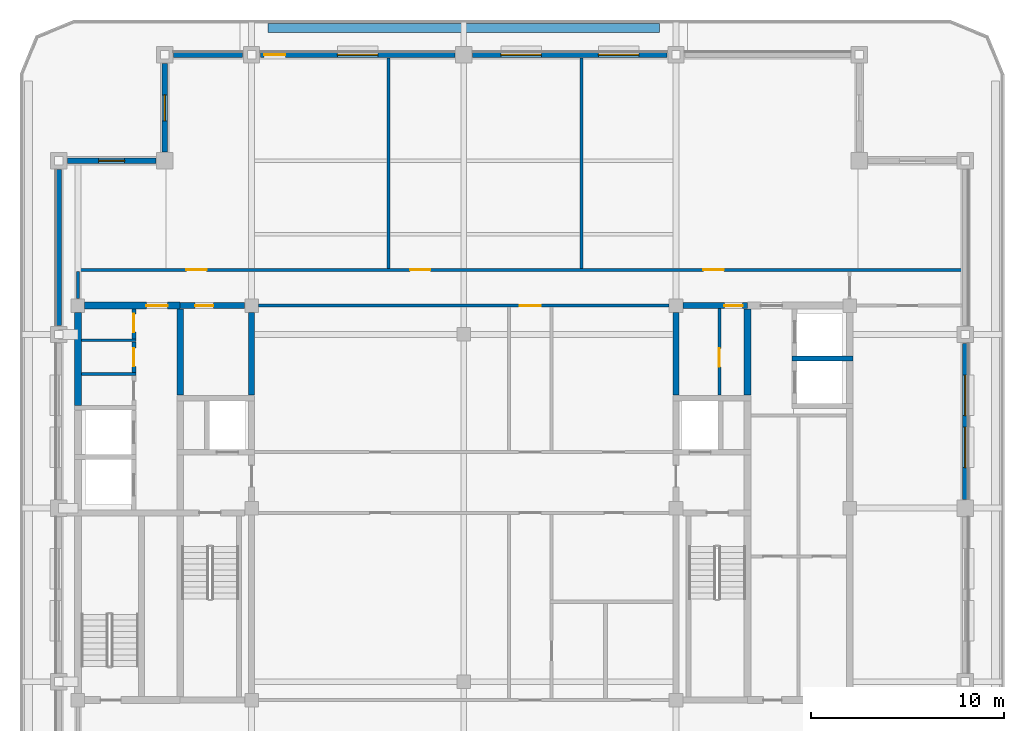
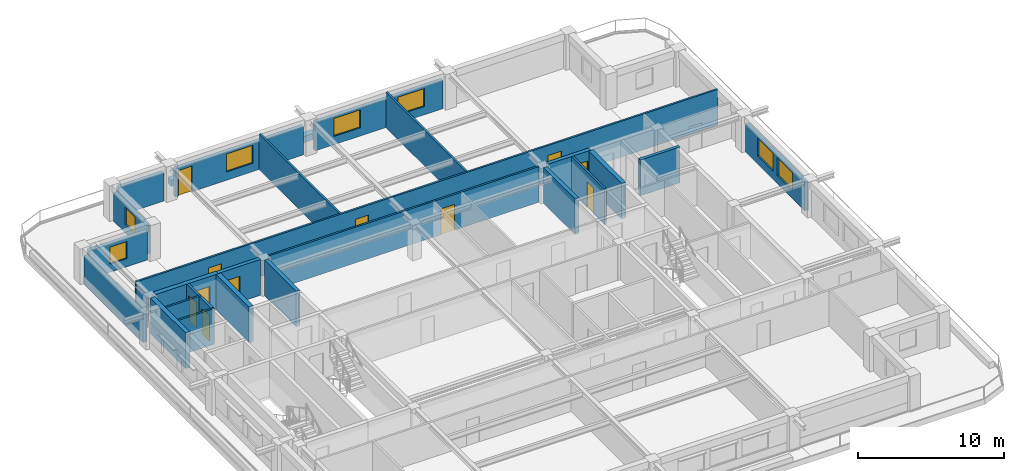
# One storey, part 5 of 11: 27 walls, 11 doors, 7 windows, 18 openings.
"""IFC4 building model written with IfcOpenShell, lengths in metres."""

from ifc_helpers import new_model, si_unit, direction, frame, frame_2d, origin, place, context, subcontext, project, spatial, rectangle, extrude, material, layer, layer_set, type_object, element, fill, save


model = new_model("IFC4")

# Units and contexts
model_context = context("Model", 3, precision=1e-05, world=origin(), true_north=direction((0.0, 1.0)))
body_context = subcontext(model_context, "Body", "Model", "MODEL_VIEW")
ifc_project = project(units=[si_unit("LENGTHUNIT", "METRE"), si_unit("AREAUNIT", "SQUARE_METRE"), si_unit("VOLUMEUNIT", "CUBIC_METRE"), si_unit("PLANEANGLEUNIT", "RADIAN"), si_unit("MASSUNIT", "GRAM", prefix="KILO")], contexts=[model_context])

# Site, building, storey
site_placement = place(None, origin())
site = spatial("IfcSite", under=ifc_project, at=site_placement, CompositionType="ELEMENT")
building_placement = place(site_placement, origin())
building = spatial("IfcBuilding", under=site, at=building_placement, Name="Zulmaris Gate Convention Tower", CompositionType="ELEMENT")
storey_placement = place(building_placement, frame((0.0, 0.0, 242.969970703125)))
storey = spatial("IfcBuildingStorey", under=building, at=storey_placement, Name="L64", CompositionType="ELEMENT", Elevation=242.969970703125)

# Wall
ifc_material_1 = material(Name="Concrete C50/60", Category="concrete")
ifc_layer_1 = layer(ifc_material_1, 0.25, Name="Concrete C50/60")
ifc_layer_set_1 = layer_set([ifc_layer_1], Name="Concrete C50/60")
wall_type_1 = type_object("IfcWallType", Name="CORE-250", PredefinedType="SOLIDWALL", material=ifc_layer_set_1)
wall_1_placement = place(storey_placement, frame((17.02490234375, 7.75, 0.0), z_axis=(0.0, 0.0, 1.0), x_axis=(1.0, 0.0, 0.0)))
element("IfcWall", 1, at=wall_1_placement, inside=storey, type_object=wall_type_1, Name="WL-L64-014", PredefinedType="SOLIDWALL", context=body_context, shape_type="SweptSolid", body=[
    extrude(rectangle(XDim=3.150146484375, YDim=0.25, at=frame_2d((1.5751953125, 0.0))), origin(), (0.0, 0.0, 1.0), 2.97998046875),
])

# Wall, opening, door
ifc_layer_2 = layer(ifc_material_1, 0.300048828125, Name="Concrete C50/60")
ifc_layer_set_2 = layer_set([ifc_layer_2], Name="Concrete C50/60")
wall_type_2 = type_object("IfcWallType", Name="CORE-300", PredefinedType="SHEAR", material=ifc_layer_set_2)
wall_2_placement = place(storey_placement, frame((-14.699951171875, 10.5, 0.0), z_axis=(0.0, 0.0, 1.0), x_axis=(1.0, 0.0, 0.0)))
wall_2 = element("IfcWall", 2, at=wall_2_placement, inside=storey, type_object=wall_type_2, Name="WL-L64-016", PredefinedType="SHEAR", context=body_context, shape_type="SweptSolid", body=[
    extrude(rectangle(XDim=3.345947265625, YDim=0.300048828125, at=frame_2d((1.6728515625, 0.0))), origin(), (0.0, 0.0, 1.0), 2.97998046875),
])
opening_1_placement = place(wall_2_placement, frame((0.77490234375, 0.0, 0.0)))
opening_1 = element("IfcOpeningElement", 3, at=opening_1_placement, cuts=wall_2, Name="Opening D-11", PredefinedType="OPENING", context=body_context, shape_type="SweptSolid", body=[
    extrude(rectangle(XDim=0.949951171875, YDim=2.14990234375, at=frame_2d((0.47509765625, 1.074951171875))), frame((0.0, 0.16015625, 0.0), z_axis=(0.0, -1.0, 0.0), x_axis=(1.0, 0.0, 0.0)), (0.0, 0.0, 1.0), 0.320068359375),
])
ifc_material_2 = material(Name="Fire-Rated Timber", Category="wood")
door_type_1 = type_object("IfcDoorType", Name="DR-950-FD", OperationType="NOTDEFINED", PredefinedType="DOOR", material=ifc_material_2)
door_1_placement = place(opening_1_placement, origin())
door_1 = element("IfcDoor", 4, at=door_1_placement, inside=storey, type_object=door_type_1, Name="L64 Core Archive Door 07", OperationType="SINGLE_SWING_LEFT", OverallHeight=2.14990234375, OverallWidth=0.949951171875, PredefinedType="DOOR", context=body_context, shape_type="SweptSolid", body=[
    extrude(rectangle(XDim=0.949951171875, YDim=2.14990234375, at=frame_2d((0.47509765625, 1.074951171875))), frame((0.0, 0.02490234375, 0.0), z_axis=(0.0, -1.0, 0.0), x_axis=(1.0, 0.0, 0.0)), (0.0, 0.0, 1.0), 0.050048828125),
])
fill(opening_1, door_1)

wall_3_placement = place(storey_placement, frame((11.35400390625, 10.5, 0.0), z_axis=(0.0, 0.0, 1.0), x_axis=(1.0, 0.0, 0.0)))
wall_3 = element("IfcWall", 5, at=wall_3_placement, inside=storey, type_object=wall_type_2, Name="WL-L64-017", PredefinedType="SHEAR", context=body_context, shape_type="SweptSolid", body=[
    extrude(rectangle(XDim=3.345947265625, YDim=0.300048828125, at=frame_2d((1.6728515625, 0.0))), origin(), (0.0, 0.0, 1.0), 2.97998046875),
])
opening_2_placement = place(wall_3_placement, frame((2.15087890625, 0.0, 0.0)))
opening_2 = element("IfcOpeningElement", 6, at=opening_2_placement, cuts=wall_3, Name="Opening D-11", PredefinedType="OPENING", context=body_context, shape_type="SweptSolid", body=[
    extrude(rectangle(XDim=0.949951171875, YDim=2.14990234375, at=frame_2d((0.47509765625, 1.074951171875))), frame((0.0, 0.16015625, 0.0), z_axis=(0.0, -1.0, 0.0), x_axis=(1.0, 0.0, 0.0)), (0.0, 0.0, 1.0), 0.320068359375),
])
door_2_placement = place(opening_2_placement, origin())
door_2 = element("IfcDoor", 7, at=door_2_placement, inside=storey, type_object=door_type_1, Name="L64 Core Linen Closet Door 08", OperationType="SINGLE_SWING_RIGHT", OverallHeight=2.14990234375, OverallWidth=0.949951171875, PredefinedType="DOOR", context=body_context, shape_type="SweptSolid", body=[
    extrude(rectangle(XDim=0.949951171875, YDim=2.14990234375, at=frame_2d((0.47509765625, 1.074951171875))), frame((0.0, 0.02490234375, 0.0), z_axis=(0.0, -1.0, 0.0), x_axis=(1.0, 0.0, 0.0)), (0.0, 0.0, 1.0), 0.050048828125),
])
fill(opening_2, door_2)

# Walls
for number, where, z_axis, x_axis, name in (
    (8, (-11.0, 5.85205078125, 0.0), (0.0, 0.0, 1.0), (0.0, 1.0, 0.0), "WL-L64-048"),
    (9, (11.0, 5.85205078125, 0.0), (0.0, 0.0, 1.0), (0.0, 1.0, 0.0), "WL-L64-052"),
):
    element("IfcWall", number, at=place(storey_placement, frame(where, z_axis=z_axis, x_axis=x_axis)), inside=storey, type_object=wall_type_2, Name=name, PredefinedType="SHEAR", context=body_context, shape_type="SweptSolid", body=[
        extrude(rectangle(XDim=4.2939453125, YDim=0.300048828125, at=frame_2d((2.14697265625, 0.0))), origin(), (0.0, 0.0, 1.0), 2.97998046875),
    ])

# Wall, opening, door
ifc_material_3 = material(Name="Concrete C55/67", Category="concrete")
ifc_layer_3 = layer(ifc_material_3, 0.35009765625, Name="Concrete C55/67")
ifc_layer_set_3 = layer_set([ifc_layer_3], Name="Concrete C55/67")
wall_type_3 = type_object("IfcWallType", Name="CORE-350", PredefinedType="SHEAR", material=ifc_layer_set_3)
wall_4_placement = place(storey_placement, frame((-19.64599609375, 10.5, 0.0), z_axis=(0.0, 0.0, 1.0), x_axis=(1.0, 0.0, 0.0)))
wall_4 = element("IfcWall", 10, at=wall_4_placement, inside=storey, type_object=wall_type_3, Name="WL-L64-015", PredefinedType="SHEAR", context=body_context, shape_type="SweptSolid", body=[
    extrude(rectangle(XDim=4.946044921875, YDim=0.35009765625, at=frame_2d((2.47314453125, 0.0))), origin(), (0.0, 0.0, 1.0), 2.97998046875),
])
opening_3_placement = place(wall_4_placement, frame((3.196044921875, 0.0, 0.0)))
opening_3 = element("IfcOpeningElement", 11, at=opening_3_placement, cuts=wall_4, Name="Opening D-08", PredefinedType="OPENING", context=body_context, shape_type="SweptSolid", body=[
    extrude(rectangle(XDim=1.10009765625, YDim=2.14990234375, at=frame_2d((0.550048828125, 1.074951171875))), frame((0.0, 0.18505859375, 0.0), z_axis=(0.0, -1.0, 0.0), x_axis=(1.0, 0.0, 0.0)), (0.0, 0.0, 1.0), 0.3701171875),
])
ifc_material_4 = material(Name="Fire-Rated Steel", Category="steel")
door_type_2 = type_object("IfcDoorType", Name="DR-1100-FD", OperationType="NOTDEFINED", PredefinedType="DOOR", material=ifc_material_4)
door_3_placement = place(opening_3_placement, origin())
door_3 = element("IfcDoor", 12, at=door_3_placement, inside=storey, type_object=door_type_2, Name="L64 High-Rise West Lift Lobby Door 13", OperationType="SINGLE_SWING_LEFT", OverallHeight=2.14990234375, OverallWidth=1.10009765625, PredefinedType="DOOR", context=body_context, shape_type="SweptSolid", body=[
    extrude(rectangle(XDim=1.10009765625, YDim=2.14990234375, at=frame_2d((0.550048828125, 1.074951171875))), frame((0.0, 0.02490234375, 0.0), z_axis=(0.0, -1.0, 0.0), x_axis=(1.0, 0.0, 0.0)), (0.0, 0.0, 1.0), 0.050048828125),
])
fill(opening_3, door_3)

# Walls
wall_5_placement = place(storey_placement, frame((-20.0, 5.326904296875, 0.0), z_axis=(0.0, 0.0, 1.0), x_axis=(0.0, 1.0, 0.0)))
element("IfcWall", 13, at=wall_5_placement, inside=storey, type_object=wall_type_3, Name="WL-L64-035", PredefinedType="SHEAR", context=body_context, shape_type="SweptSolid", body=[
    extrude(rectangle(XDim=4.819091796875, YDim=0.35009765625, at=frame_2d((2.40966796875, 0.0))), origin(), (0.0, 0.0, 1.0), 2.97998046875),
])
for number, where, z_axis, x_axis, name in (
    (14, (-14.699951171875, 5.85205078125, 0.0), (0.0, 0.0, 1.0), (0.0, 1.0, 0.0), "WL-L64-042"),
    (15, (14.699951171875, 5.85205078125, 0.0), (0.0, 0.0, 1.0), (0.0, 1.0, 0.0), "WL-L64-058"),
):
    element("IfcWall", number, at=place(storey_placement, frame(where, z_axis=z_axis, x_axis=x_axis)), inside=storey, type_object=wall_type_3, Name=name, PredefinedType="SHEAR", context=body_context, shape_type="SweptSolid", body=[
        extrude(rectangle(XDim=4.470947265625, YDim=0.35009765625, at=frame_2d((2.2353515625, 0.0))), origin(), (0.0, 0.0, 1.0), 2.97998046875),
    ])
ifc_material_5 = material(Name="Gypsum Metal Stud Partition")
ifc_layer_4 = layer(ifc_material_5, 0.14990234375, Name="Gypsum Metal Stud Partition")
ifc_layer_set_4 = layer_set([ifc_layer_4], Name="Gypsum Metal Stud Partition")
wall_type_4 = type_object("IfcWallType", Name="PART-150", PredefinedType="PARTITIONING", material=ifc_layer_set_4)
for number, where, z_axis, x_axis, name in (
    (16, (-19.822021484375, 6.949951171875, 0.0), (0.0, 0.0, 1.0), (1.0, 0.0, 0.0), "WL-L64-027"),
    (17, (-19.822021484375, 8.699951171875, 0.0), (0.0, 0.0, 1.0), (1.0, 0.0, 0.0), "WL-L64-028"),
):
    element("IfcWall", number, at=place(storey_placement, frame(where, z_axis=z_axis, x_axis=x_axis)), inside=storey, type_object=wall_type_4, Name=name, PredefinedType="PARTITIONING", context=body_context, shape_type="SweptSolid", body=[
        extrude(rectangle(XDim=2.822021484375, YDim=0.14990234375, at=frame_2d((1.4111328125, 0.0))), origin(), (0.0, 0.0, 1.0), 2.97998046875),
    ])

# Wall, opening, door
wall_6_placement = place(storey_placement, frame((-10.64404296875, 10.5, 0.0), z_axis=(0.0, 0.0, 1.0), x_axis=(1.0, 0.0, 0.0)))
wall_6 = element("IfcWall", 18, at=wall_6_placement, inside=storey, type_object=wall_type_4, Name="WL-L64-029", PredefinedType="PARTITIONING", context=body_context, shape_type="SweptSolid", body=[
    extrude(rectangle(XDim=21.2880859375, YDim=0.14990234375, at=frame_2d((10.64404296875, 0.0))), origin(), (0.0, 0.0, 1.0), 2.97998046875),
])
opening_4_placement = place(wall_6_placement, frame((13.5439453125, 0.0, 0.0)))
opening_4 = element("IfcOpeningElement", 19, at=opening_4_placement, cuts=wall_6, Name="Opening D-08", PredefinedType="OPENING", context=body_context, shape_type="SweptSolid", body=[
    extrude(rectangle(XDim=1.10009765625, YDim=2.14990234375, at=frame_2d((0.550048828125, 1.074951171875))), frame((0.0, 0.0849609375, 0.0), z_axis=(0.0, -1.0, 0.0), x_axis=(1.0, 0.0, 0.0)), (0.0, 0.0, 1.0), 0.169921875),
])
door_4_placement = place(opening_4_placement, origin())
door_4 = element("IfcDoor", 20, at=door_4_placement, inside=storey, type_object=door_type_2, Name="L64 Exec North Link Door 24", OperationType="SINGLE_SWING_RIGHT", OverallHeight=2.14990234375, OverallWidth=1.10009765625, PredefinedType="DOOR", context=body_context, shape_type="SweptSolid", body=[
    extrude(rectangle(XDim=1.10009765625, YDim=2.14990234375, at=frame_2d((0.550048828125, 1.074951171875))), frame((0.0, 0.02490234375, 0.0), z_axis=(0.0, -1.0, 0.0), x_axis=(1.0, 0.0, 0.0)), (0.0, 0.0, 1.0), 0.050048828125),
])
fill(opening_4, door_4)

# Wall, openings, doors
wall_7_placement = place(storey_placement, frame((-20.074951171875, 12.35009765625, 0.0), z_axis=(0.0, 0.0, 1.0), x_axis=(1.0, 0.0, 0.0)))
wall_7 = element("IfcWall", 21, at=wall_7_placement, inside=storey, type_object=wall_type_4, Name="WL-L64-031", PredefinedType="PARTITIONING", context=body_context, shape_type="SweptSolid", body=[
    extrude(rectangle(XDim=45.909912109375, YDim=0.14990234375, at=frame_2d((22.955078125, 0.0))), origin(), (0.0, 0.0, 1.0), 2.97998046875),
])
opening_5_placement = place(wall_7_placement, frame((5.699951171875, 0.0, 0.0)))
opening_5 = element("IfcOpeningElement", 22, at=opening_5_placement, cuts=wall_7, Name="Opening D-09", PredefinedType="OPENING", context=body_context, shape_type="SweptSolid", body=[
    extrude(rectangle(XDim=1.050048828125, YDim=2.14990234375, at=frame_2d((0.52490234375, 1.074951171875))), frame((0.0, 0.0849609375, 0.0), z_axis=(0.0, -1.0, 0.0), x_axis=(1.0, 0.0, 0.0)), (0.0, 0.0, 1.0), 0.169921875),
])
opening_6_placement = place(wall_7_placement, frame((17.300048828125, 0.0, 0.0)))
opening_6 = element("IfcOpeningElement", 23, at=opening_6_placement, cuts=wall_7, Name="Opening D-09", PredefinedType="OPENING", context=body_context, shape_type="SweptSolid", body=[
    extrude(rectangle(XDim=1.050048828125, YDim=2.14990234375, at=frame_2d((0.52490234375, 1.074951171875))), frame((0.0, 0.0849609375, 0.0), z_axis=(0.0, -1.0, 0.0), x_axis=(1.0, 0.0, 0.0)), (0.0, 0.0, 1.0), 0.169921875),
])
opening_7_placement = place(wall_7_placement, frame((32.5, 0.0, 0.0)))
opening_7 = element("IfcOpeningElement", 24, at=opening_7_placement, cuts=wall_7, Name="Opening D-09", PredefinedType="OPENING", context=body_context, shape_type="SweptSolid", body=[
    extrude(rectangle(XDim=1.050048828125, YDim=2.14990234375, at=frame_2d((0.52490234375, 1.074951171875))), frame((0.0, 0.0849609375, 0.0), z_axis=(0.0, -1.0, 0.0), x_axis=(1.0, 0.0, 0.0)), (0.0, 0.0, 1.0), 0.169921875),
])
door_type_3 = type_object("IfcDoorType", Name="DR-1050-FD", OperationType="NOTDEFINED", PredefinedType="DOOR", material=ifc_material_4)
door_5_placement = place(opening_5_placement, origin())
door_5 = element("IfcDoor", 25, at=door_5_placement, inside=storey, type_object=door_type_3, Name="L64 Partner Corner Office Door 28", OperationType="SINGLE_SWING_RIGHT", OverallHeight=2.14990234375, OverallWidth=1.050048828125, PredefinedType="DOOR", context=body_context, shape_type="SweptSolid", body=[
    extrude(rectangle(XDim=1.050048828125, YDim=2.14990234375, at=frame_2d((0.52490234375, 1.074951171875))), frame((0.0, 0.02490234375, 0.0), z_axis=(0.0, -1.0, 0.0), x_axis=(1.0, 0.0, 0.0)), (0.0, 0.0, 1.0), 0.050048828125),
])
fill(opening_5, door_5)
door_6_placement = place(opening_6_placement, origin())
door_6 = element("IfcDoor", 26, at=door_6_placement, inside=storey, type_object=door_type_3, Name="L64 Advisory Suite Office Door 29", OperationType="SINGLE_SWING_LEFT", OverallHeight=2.14990234375, OverallWidth=1.050048828125, PredefinedType="DOOR", context=body_context, shape_type="SweptSolid", body=[
    extrude(rectangle(XDim=1.050048828125, YDim=2.14990234375, at=frame_2d((0.52490234375, 1.074951171875))), frame((0.0, 0.02490234375, 0.0), z_axis=(0.0, -1.0, 0.0), x_axis=(1.0, 0.0, 0.0)), (0.0, 0.0, 1.0), 0.050048828125),
])
fill(opening_6, door_6)
door_7_placement = place(opening_7_placement, origin())
door_7 = element("IfcDoor", 27, at=door_7_placement, inside=storey, type_object=door_type_3, Name="L64 Open Plan Workplace Door 30", OperationType="SINGLE_SWING_RIGHT", OverallHeight=2.14990234375, OverallWidth=1.050048828125, PredefinedType="DOOR", context=body_context, shape_type="SweptSolid", body=[
    extrude(rectangle(XDim=1.050048828125, YDim=2.14990234375, at=frame_2d((0.52490234375, 1.074951171875))), frame((0.0, 0.02490234375, 0.0), z_axis=(0.0, -1.0, 0.0), x_axis=(1.0, 0.0, 0.0)), (0.0, 0.0, 1.0), 0.050048828125),
])
fill(opening_7, door_7)

# Walls
wall_8_placement = place(storey_placement, frame((-20.0, 10.85595703125, 0.0), z_axis=(0.0, 0.0, 1.0), x_axis=(0.0, 1.0, 0.0)))
element("IfcWall", 28, at=wall_8_placement, inside=storey, type_object=wall_type_4, Name="WL-L64-065", PredefinedType="PARTITIONING", context=body_context, shape_type="SweptSolid", body=[
    extrude(rectangle(XDim=1.416015625, YDim=0.14990234375, at=frame_2d((0.7080078125, 0.0))), origin(), (0.0, 0.0, 1.0), 2.570068359375),
])
for number, where, z_axis, x_axis, name in (
    (29, (-3.89990234375, 12.427978515625, 0.0), (0.0, 0.0, 1.0), (0.0, 1.0, 0.0), "WL-L64-070"),
    (30, (6.10009765625, 12.427978515625, 0.0), (0.0, 0.0, 1.0), (0.0, 1.0, 0.0), "WL-L64-077"),
):
    element("IfcWall", number, at=place(storey_placement, frame(where, z_axis=z_axis, x_axis=x_axis)), inside=storey, type_object=wall_type_4, Name=name, PredefinedType="PARTITIONING", context=body_context, shape_type="SweptSolid", body=[
        extrude(rectangle(XDim=10.906982421875, YDim=0.14990234375, at=frame_2d((5.45361328125, 0.0))), origin(), (0.0, 0.0, 1.0), 2.97998046875),
    ])

# Wall, opening, door
wall_9_placement = place(storey_placement, frame((13.25, 5.85302734375, 0.0), z_axis=(0.0, 0.0, 1.0), x_axis=(0.0, 1.0, 0.0)))
wall_9 = element("IfcWall", 31, at=wall_9_placement, inside=storey, type_object=wall_type_4, Name="WL-L64-080", PredefinedType="PARTITIONING", context=body_context, shape_type="SweptSolid", body=[
    extrude(rectangle(XDim=4.493896484375, YDim=0.14990234375, at=frame_2d((2.2470703125, 0.0))), origin(), (0.0, 0.0, 1.0), 2.97998046875),
])
opening_8_placement = place(wall_9_placement, frame((1.471923828125, 0.0, 0.0)))
opening_8 = element("IfcOpeningElement", 32, at=opening_8_placement, cuts=wall_9, Name="Opening D-11", PredefinedType="OPENING", context=body_context, shape_type="SweptSolid", body=[
    extrude(rectangle(XDim=0.949951171875, YDim=2.14990234375, at=frame_2d((0.47509765625, 1.074951171875))), frame((0.0, 0.0849609375, 0.0), z_axis=(0.0, -1.0, 0.0), x_axis=(1.0, 0.0, 0.0)), (0.0, 0.0, 1.0), 0.169921875),
])
door_8_placement = place(opening_8_placement, origin())
door_8 = element("IfcDoor", 33, at=door_8_placement, inside=storey, type_object=door_type_1, Name="L64 Core Service Pantry Door 09", OperationType="SINGLE_SWING_LEFT", OverallHeight=2.14990234375, OverallWidth=0.949951171875, PredefinedType="DOOR", context=body_context, shape_type="SweptSolid", body=[
    extrude(rectangle(XDim=0.949951171875, YDim=2.14990234375, at=frame_2d((0.47509765625, 1.074951171875))), frame((0.0, 0.02490234375, 0.0), z_axis=(0.0, -1.0, 0.0), x_axis=(1.0, 0.0, 0.0)), (0.0, 0.0, 1.0), 0.050048828125),
])
fill(opening_8, door_8)

ifc_material_6 = material(Name="Autoclaved Aerated Concrete Block and Plasterboard", Category="concrete")
ifc_layer_5 = layer(ifc_material_6, 0.199951171875, Name="Autoclaved Aerated Concrete Block and Plasterboard")
ifc_layer_set_5 = layer_set([ifc_layer_5], Name="Autoclaved Aerated Concrete Block and Plasterboard")
wall_type_5 = type_object("IfcWallType", Name="PART-200", PredefinedType="PARTITIONING", material=ifc_layer_set_5)
wall_10_placement = place(storey_placement, frame((-17.10009765625, 7.028076171875, 0.0), z_axis=(0.0, 0.0, 1.0), x_axis=(0.0, 1.0, 0.0)))
wall_10 = element("IfcWall", 34, at=wall_10_placement, inside=storey, type_object=wall_type_5, Name="WL-L64-067", PredefinedType="PARTITIONING", context=body_context, shape_type="SweptSolid", body=[
    extrude(rectangle(XDim=1.593994140625, YDim=0.199951171875, at=frame_2d((0.796875, 0.0))), origin(), (0.0, 0.0, 1.0), 2.97998046875),
])
opening_9_placement = place(wall_10_placement, frame((0.31689453125, 0.0, 0.0)))
opening_9 = element("IfcOpeningElement", 35, at=opening_9_placement, cuts=wall_10, Name="Opening D-11", PredefinedType="OPENING", context=body_context, shape_type="SweptSolid", body=[
    extrude(rectangle(XDim=0.949951171875, YDim=2.14990234375, at=frame_2d((0.47509765625, 1.074951171875))), frame((0.0, 0.10986328125, 0.0), z_axis=(0.0, -1.0, 0.0), x_axis=(1.0, 0.0, 0.0)), (0.0, 0.0, 1.0), 0.219970703125),
])
door_9_placement = place(opening_9_placement, origin())
door_9 = element("IfcDoor", 36, at=door_9_placement, inside=storey, type_object=door_type_1, Name="L64 Ice Pantry Door 15", OperationType="SINGLE_SWING_LEFT", OverallHeight=2.14990234375, OverallWidth=0.949951171875, PredefinedType="DOOR", context=body_context, shape_type="SweptSolid", body=[
    extrude(rectangle(XDim=0.949951171875, YDim=2.14990234375, at=frame_2d((0.47509765625, 1.074951171875))), frame((0.0, 0.02490234375, 0.0), z_axis=(0.0, -1.0, 0.0), x_axis=(1.0, 0.0, 0.0)), (0.0, 0.0, 1.0), 0.050048828125),
])
fill(opening_9, door_9)

wall_11_placement = place(storey_placement, frame((-17.10009765625, 8.778076171875, 0.0), z_axis=(0.0, 0.0, 1.0), x_axis=(0.0, 1.0, 0.0)))
wall_11 = element("IfcWall", 37, at=wall_11_placement, inside=storey, type_object=wall_type_5, Name="WL-L64-068", PredefinedType="PARTITIONING", context=body_context, shape_type="SweptSolid", body=[
    extrude(rectangle(XDim=1.5439453125, YDim=0.199951171875, at=frame_2d((0.77197265625, 0.0))), origin(), (0.0, 0.0, 1.0), 2.97998046875),
])
opening_10_placement = place(wall_11_placement, frame((0.346923828125, 0.0, 0.0)))
opening_10 = element("IfcOpeningElement", 38, at=opening_10_placement, cuts=wall_11, Name="Opening D-11", PredefinedType="OPENING", context=body_context, shape_type="SweptSolid", body=[
    extrude(rectangle(XDim=0.949951171875, YDim=2.14990234375, at=frame_2d((0.47509765625, 1.074951171875))), frame((0.0, 0.10986328125, 0.0), z_axis=(0.0, -1.0, 0.0), x_axis=(1.0, 0.0, 0.0)), (0.0, 0.0, 1.0), 0.219970703125),
])
door_10_placement = place(opening_10_placement, origin())
door_10 = element("IfcDoor", 39, at=door_10_placement, inside=storey, type_object=door_type_1, Name="L64 Housekeeping Door 14", OperationType="SINGLE_SWING_RIGHT", OverallHeight=2.14990234375, OverallWidth=0.949951171875, PredefinedType="DOOR", context=body_context, shape_type="SweptSolid", body=[
    extrude(rectangle(XDim=0.949951171875, YDim=2.14990234375, at=frame_2d((0.47509765625, 1.074951171875))), frame((0.0, 0.02490234375, 0.0), z_axis=(0.0, -1.0, 0.0), x_axis=(1.0, 0.0, 0.0)), (0.0, 0.0, 1.0), 0.050048828125),
])
fill(opening_10, door_10)

# Wall
ifc_material_7 = material(Name="Botanical Green Glazed Precast Concrete C40/50", Category="concrete")
ifc_layer_6 = layer(ifc_material_7, 0.419921875, Name="Botanical Green Glazed Precast Concrete C40/50")
ifc_layer_set_6 = layer_set([ifc_layer_6], Name="Botanical Green Glazed Precast Concrete C40/50")
wall_type_6 = type_object("IfcWallType", Name="PLANTER-CURB-200", PredefinedType="PARAPET", material=ifc_layer_set_6)
wall_12_placement = place(storey_placement, frame((-10.14990234375, 24.8798828125, -0.0400390625), z_axis=(0.0, 0.0, 1.0), x_axis=(1.0, 0.0, 0.0)))
element("IfcWall", 40, at=wall_12_placement, inside=storey, type_object=wall_type_6, Name="L64 Full-Length Balcony Tree Planter Trough", PredefinedType="PARAPET", context=body_context, shape_type="SweptSolid", body=[
    extrude(rectangle(XDim=20.2998046875, YDim=0.47998046875, at=frame_2d((10.14990234375, 0.0))), origin(), (0.0, 0.0, 1.0), 0.52001953125),
])

# Wall, opening, window
ifc_material_8 = material(Name="Precast concrete C40/50", Category="concrete")
ifc_layer_7 = layer(ifc_material_8, 0.300048828125, Name="Precast concrete C40/50")
ifc_layer_set_7 = layer_set([ifc_layer_7], Name="Precast concrete C40/50")
wall_type_7 = type_object("IfcWallType", Name="PRECAST-PIER-300", PredefinedType="STANDARD", material=ifc_layer_set_7)
wall_13_placement = place(storey_placement, frame((-15.5, 23.044921875, 0.0), z_axis=(0.0, 0.0, 1.0), x_axis=(0.0, -1.0, 0.0)))
wall_13 = element("IfcWall", 41, at=wall_13_placement, inside=storey, type_object=wall_type_7, Name="EW-L64-NOTCH-NW1_0", PredefinedType="STANDARD", context=body_context, shape_type="SweptSolid", body=[
    extrude(rectangle(XDim=4.58984375, YDim=0.300048828125, at=frame_2d((2.294921875, 0.0))), origin(), (0.0, 0.0, 1.0), 2.3720703125),
])
opening_11_placement = place(wall_13_placement, frame((1.6201171875, 0.0, 0.679931640625)))
opening_11 = element("IfcOpeningElement", 42, at=opening_11_placement, cuts=wall_13, Name="Opening W-10", PredefinedType="OPENING", context=body_context, shape_type="SweptSolid", body=[
    extrude(rectangle(XDim=1.35009765625, YDim=1.419921875, at=frame_2d((0.675048828125, 0.7099609375))), frame((0.0, 0.16015625, 0.0), z_axis=(0.0, -1.0, 0.0), x_axis=(1.0, 0.0, 0.0)), (0.0, 0.0, 1.0), 0.320068359375),
])
ifc_material_9 = material(Name="Low-E Laminated Double Glazing in Aluminium Frame", Category="aluminium")
window_type_1 = type_object("IfcWindowType", Name="WIN-1350x2000", PartitioningType="SINGLE_PANEL", PredefinedType="WINDOW", material=ifc_material_9)
window_1_placement = place(opening_11_placement, origin())
window_1 = element("IfcWindow", 43, at=window_1_placement, inside=storey, type_object=window_type_1, Name="WN-EW-L64-NOTCH-NW1_0", OverallHeight=1.419921875, OverallWidth=1.35009765625, PartitioningType="SINGLE_PANEL", PredefinedType="WINDOW", context=body_context, shape_type="SweptSolid", body=[
    extrude(rectangle(XDim=1.35009765625, YDim=1.419921875, at=frame_2d((0.675048828125, 0.7099609375))), frame((0.0, 0.030029296875, 0.0), z_axis=(0.0, -1.0, 0.0), x_axis=(1.0, 0.0, 0.0)), (0.0, 0.0, 1.0), 0.06005859375),
])
fill(opening_11, window_1)

wall_14_placement = place(storey_placement, frame((-15.955078125, 18.0, 0.0), z_axis=(0.0, 0.0, 1.0), x_axis=(-1.0, 0.0, 0.0)))
wall_14 = element("IfcWall", 44, at=wall_14_placement, inside=storey, type_object=wall_type_7, Name="EW-L64-NOTCH-NW2_0", PredefinedType="STANDARD", context=body_context, shape_type="SweptSolid", body=[
    extrude(rectangle(XDim=4.58984375, YDim=0.300048828125, at=frame_2d((2.294921875, 0.0))), origin(), (0.0, 0.0, 1.0), 2.3720703125),
])
opening_12_placement = place(wall_14_placement, frame((1.6201171875, 0.0, 0.679931640625)))
opening_12 = element("IfcOpeningElement", 45, at=opening_12_placement, cuts=wall_14, Name="Opening W-10", PredefinedType="OPENING", context=body_context, shape_type="SweptSolid", body=[
    extrude(rectangle(XDim=1.35009765625, YDim=1.419921875, at=frame_2d((0.675048828125, 0.7099609375))), frame((0.0, 0.16015625, 0.0), z_axis=(0.0, -1.0, 0.0), x_axis=(1.0, 0.0, 0.0)), (0.0, 0.0, 1.0), 0.320068359375),
])
window_2_placement = place(opening_12_placement, origin())
window_2 = element("IfcWindow", 46, at=window_2_placement, inside=storey, type_object=window_type_1, Name="WN-EW-L64-NOTCH-NW2_0", OverallHeight=1.419921875, OverallWidth=1.35009765625, PartitioningType="SINGLE_PANEL", PredefinedType="WINDOW", context=body_context, shape_type="SweptSolid", body=[
    extrude(rectangle(XDim=1.35009765625, YDim=1.419921875, at=frame_2d((0.675048828125, 0.7099609375))), frame((0.0, 0.030029296875, 0.0), z_axis=(0.0, -1.0, 0.0), x_axis=(1.0, 0.0, 0.0)), (0.0, 0.0, 1.0), 0.06005859375),
])
fill(opening_12, window_2)

# Wall
wall_15_placement = place(storey_placement, frame((-11.455078125, 23.5, 0.0), z_axis=(0.0, 0.0, 1.0), x_axis=(-1.0, 0.0, 0.0)))
element("IfcWall", 47, at=wall_15_placement, inside=storey, type_object=wall_type_7, Name="EW-L64-N-0_0", PredefinedType="STANDARD", context=body_context, shape_type="SweptSolid", body=[
    extrude(rectangle(XDim=3.58984375, YDim=0.300048828125, at=frame_2d((1.794921875, 0.0))), origin(), (0.0, 0.0, 1.0), 2.3720703125),
])

# Wall, openings, door, window
wall_16_placement = place(storey_placement, frame((-0.455078125, 23.5, 0.0), z_axis=(0.0, 0.0, 1.0), x_axis=(-1.0, 0.0, 0.0)))
wall_16 = element("IfcWall", 48, at=wall_16_placement, inside=storey, type_object=wall_type_7, Name="EW-L64-N-1_0", PredefinedType="STANDARD", context=body_context, shape_type="SweptSolid", body=[
    extrude(rectangle(XDim=10.08984375, YDim=0.300048828125, at=frame_2d((5.044921875, 0.0))), origin(), (0.0, 0.0, 1.0), 2.3720703125),
])
opening_13_placement = place(wall_16_placement, frame((8.7900390625, 0.0, 0.0)))
opening_13 = element("IfcOpeningElement", 49, at=opening_13_placement, cuts=wall_16, Name="Opening D-04", PredefinedType="OPENING", context=body_context, shape_type="SweptSolid", body=[
    extrude(rectangle(XDim=1.10009765625, YDim=2.14990234375, at=frame_2d((0.550048828125, 1.074951171875))), frame((0.0, 0.16015625, 0.0), z_axis=(0.0, -1.0, 0.0), x_axis=(1.0, 0.0, 0.0)), (0.0, 0.0, 1.0), 0.320068359375),
])
opening_14_placement = place(wall_16_placement, frame((3.9951171875, 0.0, 0.699951171875)))
opening_14 = element("IfcOpeningElement", 50, at=opening_14_placement, cuts=wall_16, Name="Opening W-05", PredefinedType="OPENING", context=body_context, shape_type="SweptSolid", body=[
    extrude(rectangle(XDim=2.10009765625, YDim=1.5, at=frame_2d((1.050048828125, 0.75))), frame((0.0, 0.16015625, 0.0), z_axis=(0.0, -1.0, 0.0), x_axis=(1.0, 0.0, 0.0)), (0.0, 0.0, 1.0), 0.320068359375),
])
ifc_material_10 = material(Name="Anodised Aluminium and Laminated Glass", Category="aluminium")
door_type_4 = type_object("IfcDoorType", Name="ED-1100", OperationType="SINGLE_SWING_RIGHT", PredefinedType="DOOR", material=ifc_material_10)
door_11_placement = place(opening_13_placement, origin())
door_11 = element("IfcDoor", 51, at=door_11_placement, inside=storey, type_object=door_type_4, Name="L64 N Planted Terrace Door", OperationType="SINGLE_SWING_LEFT", OverallHeight=2.14990234375, OverallWidth=1.10009765625, PredefinedType="DOOR", context=body_context, shape_type="SweptSolid", body=[
    extrude(rectangle(XDim=1.10009765625, YDim=2.14990234375, at=frame_2d((0.550048828125, 1.074951171875))), frame((0.0, 0.02490234375, 0.0), z_axis=(0.0, -1.0, 0.0), x_axis=(1.0, 0.0, 0.0)), (0.0, 0.0, 1.0), 0.050048828125),
])
fill(opening_13, door_11)
window_type_2 = type_object("IfcWindowType", Name="WIN-2100x2400", PartitioningType="SINGLE_PANEL", PredefinedType="WINDOW", material=ifc_material_9)
window_3_placement = place(opening_14_placement, origin())
window_3 = element("IfcWindow", 52, at=window_3_placement, inside=storey, type_object=window_type_2, Name="WN-EW-L64-N-1_0-2", OverallHeight=1.5, OverallWidth=2.10009765625, PartitioningType="SINGLE_PANEL", PredefinedType="WINDOW", context=body_context, shape_type="SweptSolid", body=[
    extrude(rectangle(XDim=2.10009765625, YDim=1.5, at=frame_2d((1.050048828125, 0.75))), frame((0.0, 0.030029296875, 0.0), z_axis=(0.0, -1.0, 0.0), x_axis=(1.0, 0.0, 0.0)), (0.0, 0.0, 1.0), 0.06005859375),
])
fill(opening_14, window_3)

# Wall, openings, windows
wall_17_placement = place(storey_placement, frame((10.544921875, 23.5, 0.0), z_axis=(0.0, 0.0, 1.0), x_axis=(-1.0, 0.0, 0.0)))
wall_17 = element("IfcWall", 53, at=wall_17_placement, inside=storey, type_object=wall_type_7, Name="EW-L64-N-2_0", PredefinedType="STANDARD", context=body_context, shape_type="SweptSolid", body=[
    extrude(rectangle(XDim=10.08984375, YDim=0.300048828125, at=frame_2d((5.044921875, 0.0))), origin(), (0.0, 0.0, 1.0), 2.3720703125),
])
opening_15_placement = place(wall_17_placement, frame((1.471923828125, 0.0, 0.699951171875)))
opening_15 = element("IfcOpeningElement", 54, at=opening_15_placement, cuts=wall_17, Name="Opening W-05", PredefinedType="OPENING", context=body_context, shape_type="SweptSolid", body=[
    extrude(rectangle(XDim=2.10009765625, YDim=1.5, at=frame_2d((1.050048828125, 0.75))), frame((0.0, 0.16015625, 0.0), z_axis=(0.0, -1.0, 0.0), x_axis=(1.0, 0.0, 0.0)), (0.0, 0.0, 1.0), 0.320068359375),
])
opening_16_placement = place(wall_17_placement, frame((6.51806640625, 0.0, 0.699951171875)))
opening_16 = element("IfcOpeningElement", 55, at=opening_16_placement, cuts=wall_17, Name="Opening W-05", PredefinedType="OPENING", context=body_context, shape_type="SweptSolid", body=[
    extrude(rectangle(XDim=2.10009765625, YDim=1.5, at=frame_2d((1.050048828125, 0.75))), frame((0.0, 0.16015625, 0.0), z_axis=(0.0, -1.0, 0.0), x_axis=(1.0, 0.0, 0.0)), (0.0, 0.0, 1.0), 0.320068359375),
])
window_4_placement = place(opening_15_placement, origin())
window_4 = element("IfcWindow", 56, at=window_4_placement, inside=storey, type_object=window_type_2, Name="WN-EW-L64-N-2_0-1", OverallHeight=1.5, OverallWidth=2.10009765625, PartitioningType="SINGLE_PANEL", PredefinedType="WINDOW", context=body_context, shape_type="SweptSolid", body=[
    extrude(rectangle(XDim=2.10009765625, YDim=1.5, at=frame_2d((1.050048828125, 0.75))), frame((0.0, 0.030029296875, 0.0), z_axis=(0.0, -1.0, 0.0), x_axis=(1.0, 0.0, 0.0)), (0.0, 0.0, 1.0), 0.06005859375),
])
fill(opening_15, window_4)
window_5_placement = place(opening_16_placement, origin())
window_5 = element("IfcWindow", 57, at=window_5_placement, inside=storey, type_object=window_type_2, Name="WN-EW-L64-N-2_0-3", OverallHeight=1.5, OverallWidth=2.10009765625, PartitioningType="SINGLE_PANEL", PredefinedType="WINDOW", context=body_context, shape_type="SweptSolid", body=[
    extrude(rectangle(XDim=2.10009765625, YDim=1.5, at=frame_2d((1.050048828125, 0.75))), frame((0.0, 0.030029296875, 0.0), z_axis=(0.0, -1.0, 0.0), x_axis=(1.0, 0.0, 0.0)), (0.0, 0.0, 1.0), 0.06005859375),
])
fill(opening_16, window_5)

wall_18_placement = place(storey_placement, frame((26.0, 0.455078125, 0.0), z_axis=(0.0, 0.0, 1.0), x_axis=(0.0, 1.0, 0.0)))
wall_18 = element("IfcWall", 58, at=wall_18_placement, inside=storey, type_object=wall_type_7, Name="EW-L64-E-2_0", PredefinedType="STANDARD", context=body_context, shape_type="SweptSolid", body=[
    extrude(rectangle(XDim=8.08984375, YDim=0.300048828125, at=frame_2d((4.044921875, 0.0))), origin(), (0.0, 0.0, 1.0), 2.3720703125),
])
opening_17_placement = place(wall_18_placement, frame((1.64697265625, 0.0, 0.699951171875)))
opening_17 = element("IfcOpeningElement", 59, at=opening_17_placement, cuts=wall_18, Name="Opening W-05", PredefinedType="OPENING", context=body_context, shape_type="SweptSolid", body=[
    extrude(rectangle(XDim=2.10009765625, YDim=1.5, at=frame_2d((1.050048828125, 0.75))), frame((0.0, 0.16015625, 0.0), z_axis=(0.0, -1.0, 0.0), x_axis=(1.0, 0.0, 0.0)), (0.0, 0.0, 1.0), 0.320068359375),
])
opening_18_placement = place(wall_18_placement, frame((4.343017578125, 0.0, 0.699951171875)))
opening_18 = element("IfcOpeningElement", 60, at=opening_18_placement, cuts=wall_18, Name="Opening W-05", PredefinedType="OPENING", context=body_context, shape_type="SweptSolid", body=[
    extrude(rectangle(XDim=2.10009765625, YDim=1.5, at=frame_2d((1.050048828125, 0.75))), frame((0.0, 0.16015625, 0.0), z_axis=(0.0, -1.0, 0.0), x_axis=(1.0, 0.0, 0.0)), (0.0, 0.0, 1.0), 0.320068359375),
])
window_6_placement = place(opening_17_placement, origin())
window_6 = element("IfcWindow", 61, at=window_6_placement, inside=storey, type_object=window_type_2, Name="WN-EW-L64-E-2_0-1", OverallHeight=1.5, OverallWidth=2.10009765625, PartitioningType="SINGLE_PANEL", PredefinedType="WINDOW", context=body_context, shape_type="SweptSolid", body=[
    extrude(rectangle(XDim=2.10009765625, YDim=1.5, at=frame_2d((1.050048828125, 0.75))), frame((0.0, 0.030029296875, 0.0), z_axis=(0.0, -1.0, 0.0), x_axis=(1.0, 0.0, 0.0)), (0.0, 0.0, 1.0), 0.06005859375),
])
fill(opening_17, window_6)
window_7_placement = place(opening_18_placement, origin())
window_7 = element("IfcWindow", 62, at=window_7_placement, inside=storey, type_object=window_type_2, Name="WN-EW-L64-E-2_0-2", OverallHeight=1.5, OverallWidth=2.10009765625, PartitioningType="SINGLE_PANEL", PredefinedType="WINDOW", context=body_context, shape_type="SweptSolid", body=[
    extrude(rectangle(XDim=2.10009765625, YDim=1.5, at=frame_2d((1.050048828125, 0.75))), frame((0.0, 0.030029296875, 0.0), z_axis=(0.0, -1.0, 0.0), x_axis=(1.0, 0.0, 0.0)), (0.0, 0.0, 1.0), 0.06005859375),
])
fill(opening_18, window_7)

# Wall
wall_19_placement = place(storey_placement, frame((-21.0, 17.544921875, 0.0), z_axis=(0.0, 0.0, 1.0), x_axis=(0.0, -1.0, 0.0)))
element("IfcWall", 63, at=wall_19_placement, inside=storey, type_object=wall_type_7, Name="EW-L64-W-3_0", PredefinedType="STANDARD", context=body_context, shape_type="SweptSolid", body=[
    extrude(rectangle(XDim=8.08984375, YDim=0.300048828125, at=frame_2d((4.044921875, 0.0))), origin(), (0.0, 0.0, 1.0), 2.3720703125),
])

save(model, "model.ifc")
